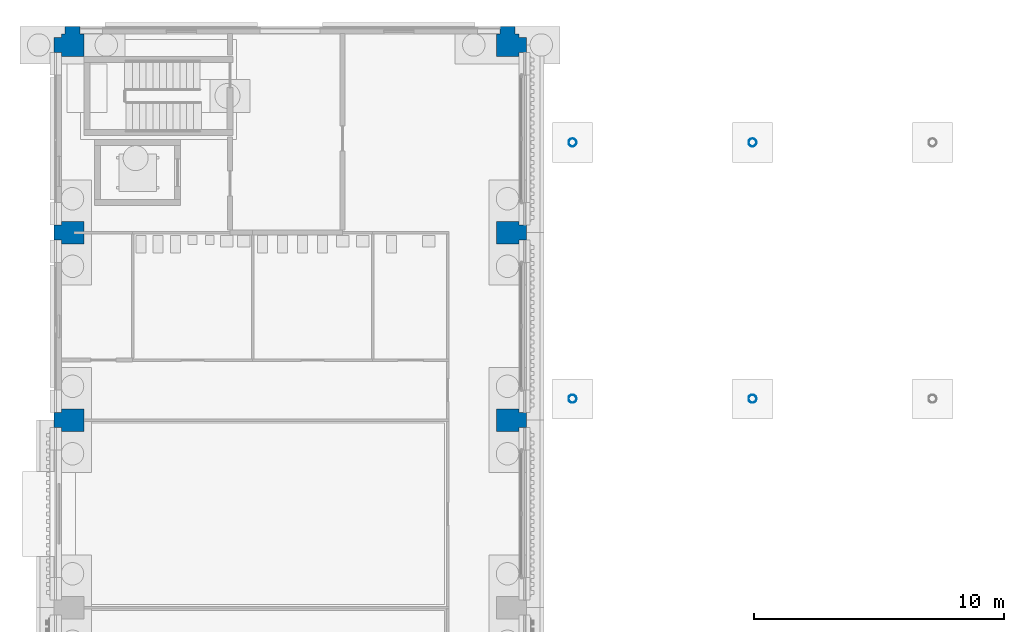
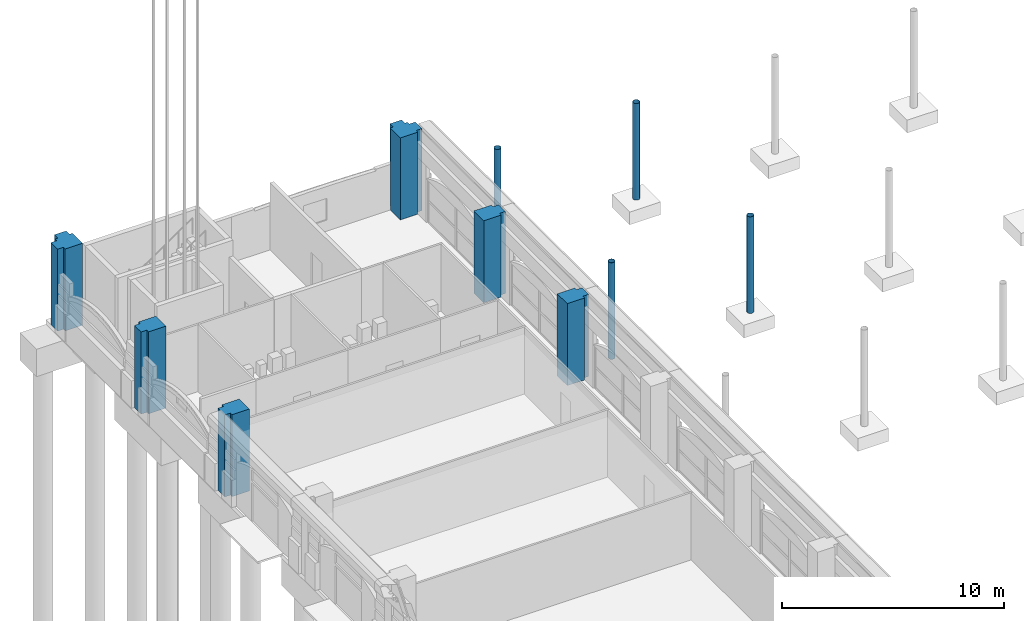
# One storey, part 10 of 99: 10 columns.
"""IFC4 building model written with IfcOpenShell, lengths in metres."""

from ifc_helpers import new_model, si_unit, direction, frame, origin, origin_2d, place, context, subcontext, project, spatial, polyline, hollow_circle, outline, extrude, material, material_profile, profile_set, type_object, element, save


model = new_model("IFC4")

# Units and contexts
model_context = context("Model", 3, precision=1e-05, world=origin(), true_north=direction((0.0, 1.0)))
body_context = subcontext(model_context, "Body", "Model", "MODEL_VIEW")
ifc_project = project(units=[si_unit("LENGTHUNIT", "METRE"), si_unit("AREAUNIT", "SQUARE_METRE"), si_unit("VOLUMEUNIT", "CUBIC_METRE"), si_unit("PLANEANGLEUNIT", "RADIAN"), si_unit("MASSUNIT", "GRAM", prefix="KILO")], contexts=[model_context])

# Site, building, storey
site_placement = place(None, origin())
site = spatial("IfcSite", under=ifc_project, at=site_placement, CompositionType="ELEMENT")
building_placement = place(site_placement, origin())
building = spatial("IfcBuilding", under=site, at=building_placement, Name="Cour d'Honneur Mobility Palace", CompositionType="ELEMENT")
storey_placement = place(building_placement, origin())
storey = spatial("IfcBuildingStorey", under=building, at=storey_placement, Name="L00", CompositionType="ELEMENT", Elevation=0.0)

# Columns
ifc_material_1 = material(Name="Steel S355", Category="steel")
ifc_material_profile_1 = material_profile(ifc_material_1, hollow_circle(Radius=0.161865234375, WallThickness=0.010009765625, at=origin_2d()), Name="CHS 323.9x10")
ifc_profile_set_1 = profile_set([ifc_material_profile_1], Name="Steel S355")
column_type_1 = type_object("IfcColumnType", Name="Canopy column CHS 323.9x10", PredefinedType="COLUMN", material=ifc_profile_set_1)
for number, where, z_axis, x_axis, name in (
    (1, (20.0, 100.75, -0.300048828125), (0.0, 0.0, 1.0), (1.0, 0.0, 0.0), "Canopy column FCC-W2.1"),
    (2, (27.199951171875, 100.75, -0.300048828125), (0.0, 0.0, 1.0), (1.0, 0.0, 0.0), "Canopy column FCC-W2.2"),
    (3, (20.0, 111.0, -0.300048828125), (0.0, 0.0, 1.0), (1.0, 0.0, 0.0), "Canopy column FCC-W3.1"),
    (4, (27.199951171875, 111.0, -0.300048828125), (0.0, 0.0, 1.0), (1.0, 0.0, 0.0), "Canopy column FCC-W3.2"),
):
    element("IfcColumn", number, at=place(storey_placement, frame(where, z_axis=z_axis, x_axis=x_axis)), inside=storey, type_object=column_type_1, Name=name, PredefinedType="COLUMN", context=body_context, shape_type="SweptSolid", body=[
        extrude(hollow_circle(Radius=0.161865234375, WallThickness=0.010009765625, at=origin_2d()), origin(), (0.0, 0.0, 1.0), 5.300048828125),
    ])
ifc_material_2 = material(Name="Concrete C50", Category="concrete")
ifc_material_profile_2 = material_profile(ifc_material_2, outline(polyline([(-0.449951171875, -0.449951171875), (0.449951171875, -0.449951171875), (0.449951171875, -0.300048828125), (0.75, -0.300048828125), (0.75, 0.300048828125), (0.449951171875, 0.300048828125), (0.449951171875, 0.449951171875), (0.300048828125, 0.449951171875), (0.300048828125, 0.75), (-0.300048828125, 0.75), (-0.300048828125, 0.449951171875), (-0.449951171875, 0.449951171875), (-0.449951171875, -0.449951171875)])), Name="PC C900 corner")
ifc_profile_set_2 = profile_set([ifc_material_profile_2], Name="Concrete C50")
column_type_2 = type_object("IfcColumnType", Name="Precast Column 900 corner", PredefinedType="COLUMN", material=ifc_profile_set_2)
for number, where, z_axis, x_axis, name in (
    (5, (0.0, 114.89990234375, 0.0), (0.0, 0.0, 1.0), (0.0, 1.0, 0.0), "Precast column C1 1/Q L00"),
    (6, (17.39990234375, 114.89990234375, 0.0), (0.0, 0.0, 1.0), (1.0, 0.0, 0.0), "Precast column C1 2/Q L00"),
):
    element("IfcColumn", number, at=place(storey_placement, frame(where, z_axis=z_axis, x_axis=x_axis)), inside=storey, type_object=column_type_2, Name=name, PredefinedType="COLUMN", context=body_context, shape_type="SweptSolid", body=[
        extrude(outline(polyline([(-0.449951171875, -0.449951171875), (0.449951171875, -0.449951171875), (0.449951171875, -0.300048828125), (0.75, -0.300048828125), (0.75, 0.300048828125), (0.449951171875, 0.300048828125), (0.449951171875, 0.449951171875), (0.300048828125, 0.449951171875), (0.300048828125, 0.75), (-0.300048828125, 0.75), (-0.300048828125, 0.449951171875), (-0.449951171875, 0.449951171875), (-0.449951171875, -0.449951171875)])), origin(), (0.0, 0.0, 1.0), 4.5),
    ])
ifc_material_3 = material(Name="Concrete C50", Category="concrete")
ifc_material_profile_3 = material_profile(ifc_material_3, outline(polyline([(-0.449951171875, -0.449951171875), (0.449951171875, -0.449951171875), (0.449951171875, -0.300048828125), (0.75, -0.300048828125), (0.75, 0.300048828125), (0.449951171875, 0.300048828125), (0.449951171875, 0.449951171875), (-0.449951171875, 0.449951171875), (-0.449951171875, -0.449951171875)])), Name="PC C900 pilaster")
ifc_profile_set_3 = profile_set([ifc_material_profile_3], Name="Concrete C50")
column_type_3 = type_object("IfcColumnType", Name="Precast Column 900 pilaster", PredefinedType="COLUMN", material=ifc_profile_set_3)
for number, where, z_axis, x_axis, name in (
    (7, (0.0, 99.89990234375, 0.0), (0.0, 0.0, 1.0), (-1.0, 0.0, 0.0), "Precast column C3 1/N L00"),
    (8, (17.39990234375, 99.89990234375, 0.0), (0.0, 0.0, 1.0), (1.0, 0.0, 0.0), "Precast column C3 2/N L00"),
    (9, (0.0, 107.39990234375, 0.0), (0.0, 0.0, 1.0), (-1.0, 0.0, 0.0), "Precast column C3 1/P L00"),
    (10, (17.39990234375, 107.39990234375, 0.0), (0.0, 0.0, 1.0), (1.0, 0.0, 0.0), "Precast column C3 2/P L00"),
):
    element("IfcColumn", number, at=place(storey_placement, frame(where, z_axis=z_axis, x_axis=x_axis)), inside=storey, type_object=column_type_3, Name=name, PredefinedType="COLUMN", context=body_context, shape_type="SweptSolid", body=[
        extrude(outline(polyline([(-0.449951171875, -0.449951171875), (0.449951171875, -0.449951171875), (0.449951171875, -0.300048828125), (0.75, -0.300048828125), (0.75, 0.300048828125), (0.449951171875, 0.300048828125), (0.449951171875, 0.449951171875), (-0.449951171875, 0.449951171875), (-0.449951171875, -0.449951171875)])), origin(), (0.0, 0.0, 1.0), 4.5),
    ])

save(model, "model.ifc")
